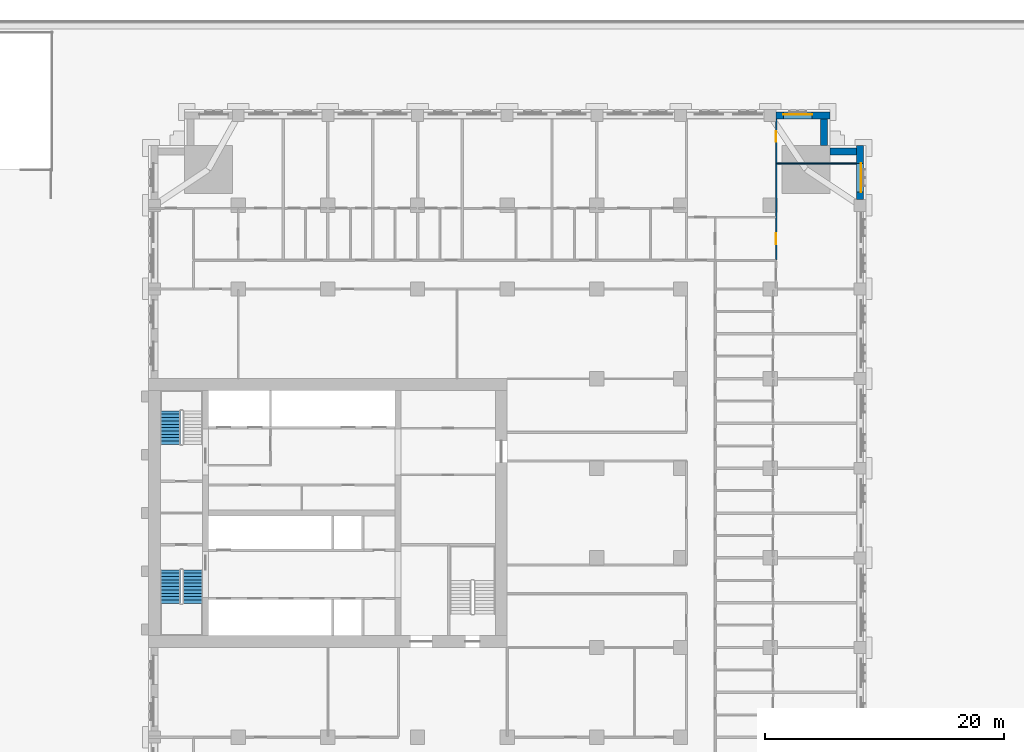
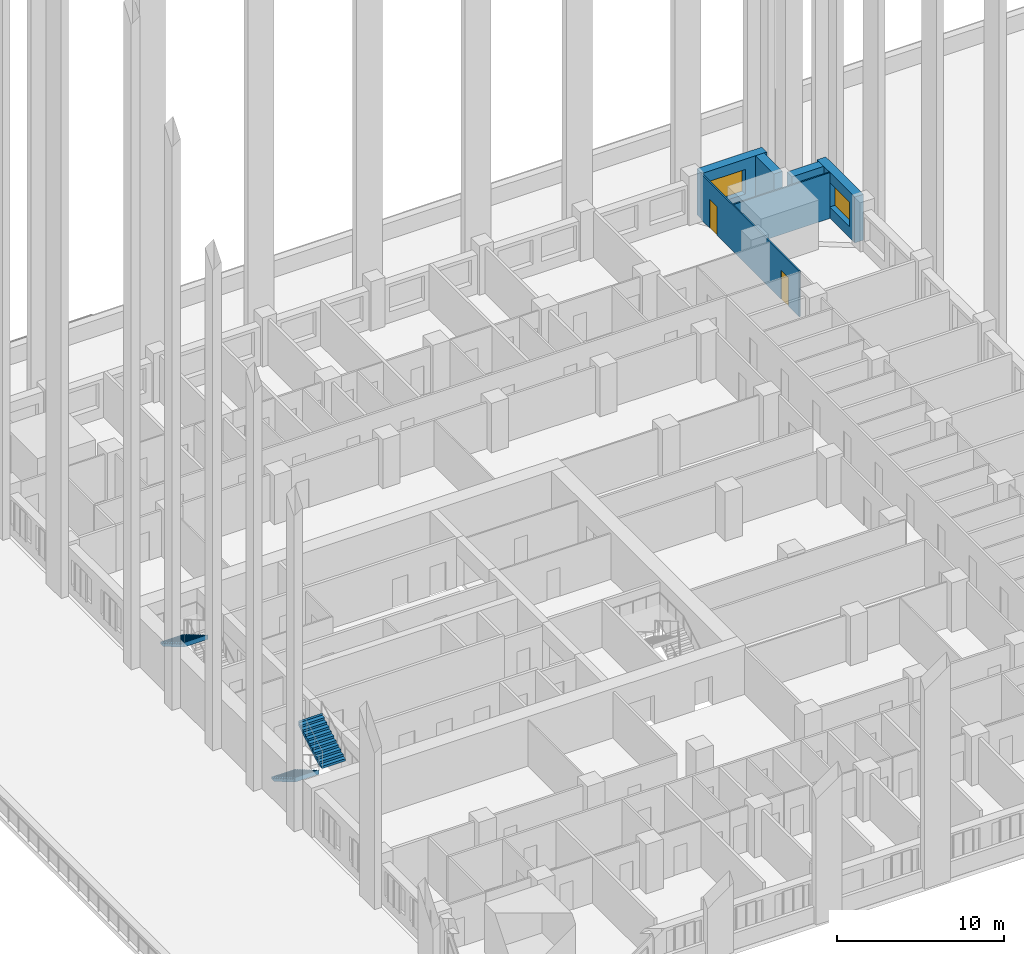
# One storey, part 22 of 27: 6 walls, 3 stair flights, 2 doors, 2 windows, 4 openings, 2 elements without a shape of their own.
"""IFC4 building model written with IfcOpenShell, lengths in metres."""

from ifc_helpers import new_model, si_unit, direction, frame, frame_2d, origin, place, context, subcontext, project, spatial, polyline, rectangle, outline, extrude, material, layer, layer_set, type_object, element, fill, aggregate, save


model = new_model("IFC4")

# Units and contexts
model_context = context("Model", 3, precision=1e-05, world=origin(), true_north=direction((0.0, 1.0)))
body_context = subcontext(model_context, "Body", "Model", "MODEL_VIEW")
ifc_project = project(units=[si_unit("LENGTHUNIT", "METRE"), si_unit("AREAUNIT", "SQUARE_METRE"), si_unit("VOLUMEUNIT", "CUBIC_METRE"), si_unit("PLANEANGLEUNIT", "RADIAN"), si_unit("MASSUNIT", "GRAM", prefix="KILO")], contexts=[model_context])

# Site, building, storey
site_placement = place(None, origin())
site = spatial("IfcSite", under=ifc_project, at=site_placement, CompositionType="ELEMENT")
building_placement = place(site_placement, origin())
building = spatial("IfcBuilding", under=site, at=building_placement, Name="Tamorin Gate", CompositionType="ELEMENT")
storey_placement = place(building_placement, frame((0.0, 0.0, 34.0)))
storey = spatial("IfcBuildingStorey", under=building, at=storey_placement, Name="L06", CompositionType="ELEMENT", Elevation=34.0)

# Wall, opening, window
ifc_material_1 = material(Name="Precast concrete C40/50", Category="concrete")
ifc_layer_1 = layer(ifc_material_1, 0.60009765625)
ifc_layer_set_1 = layer_set([ifc_layer_1], Name="Precast concrete C40/50")
wall_type_1 = type_object("IfcWallType", Name="Board-marked concrete facade panel 600", PredefinedType="SOLIDWALL", material=ifc_layer_set_1)
wall_1_placement = place(storey_placement, frame((89.5, 97.5, 0.0), z_axis=(0.0, 0.0, 1.0), x_axis=(0.0, 1.0, 0.0)))
wall_1 = element("IfcWall", 1, at=wall_1_placement, inside=storey, type_object=wall_type_1, Name="Facade panel", PredefinedType="SOLIDWALL", context=body_context, shape_type="SweptSolid", body=[
    extrude(rectangle(XDim=4.5, YDim=0.60009765625, at=frame_2d((2.25, 0.0))), origin(), (0.0, 0.0, 1.0), 3.35009765625),
])
opening_1_placement = place(wall_1_placement, frame((0.60009765625, 0.0, 0.800048828125)))
opening_1 = element("IfcOpeningElement", 2, at=opening_1_placement, cuts=wall_1, Name="Opening WN1", PredefinedType="OPENING", context=body_context, shape_type="SweptSolid", body=[
    extrude(rectangle(XDim=2.39990234375, YDim=1.800048828125, at=frame_2d((1.199951171875, 0.89990234375))), frame((0.0, 0.31005859375, 0.0), z_axis=(0.0, -1.0, 0.0), x_axis=(1.0, 0.0, 0.0)), (0.0, 0.0, 1.0), 0.6201171875),
])
ifc_material_2 = material(Name="Clear glass in aluminium frame", Category="aluminium")
window_type = type_object("IfcWindowType", Name="Deep-set window 2400x1800", PartitioningType="SINGLE_PANEL", PredefinedType="WINDOW", material=ifc_material_2)
window_1_placement = place(opening_1_placement, origin())
window_1 = element("IfcWindow", 3, at=window_1_placement, inside=storey, type_object=window_type, Name="Deep-set window", OverallHeight=1.800048828125, OverallWidth=2.39990234375, PartitioningType="SINGLE_PANEL", PredefinedType="WINDOW", context=body_context, shape_type="SweptSolid", body=[
    extrude(rectangle(XDim=2.39990234375, YDim=1.800048828125, at=frame_2d((1.199951171875, 0.89990234375))), frame((0.0, -0.070068359375, 0.0), z_axis=(0.0, -1.0, 0.0), x_axis=(1.0, 0.0, 0.0)), (0.0, 0.0, 1.0), 0.06005859375),
])
fill(opening_1, window_1)

# Walls
for number, where, z_axis, x_axis, name in (
    (4, (89.199951171875, 101.5, 0.0), (0.0, 0.0, 1.0), (-1.0, 0.0, 0.0), "Facade panel"),
    (5, (86.5, 102.0, 0.0), (0.0, 0.0, 1.0), (0.0, 1.0, 0.0), "Facade panel"),
):
    element("IfcWall", number, at=place(storey_placement, frame(where, z_axis=z_axis, x_axis=x_axis)), inside=storey, type_object=wall_type_1, Name=name, PredefinedType="SOLIDWALL", context=body_context, shape_type="SweptSolid", body=[
        extrude(rectangle(XDim=2.199951171875, YDim=0.60009765625, at=frame_2d((1.10009765625, 0.0))), origin(), (0.0, 0.0, 1.0), 3.35009765625),
    ])

# Wall, opening, window
wall_2_placement = place(storey_placement, frame((87.0, 104.5, 0.0), z_axis=(0.0, 0.0, 1.0), x_axis=(-1.0, 0.0, 0.0)))
wall_2 = element("IfcWall", 6, at=wall_2_placement, inside=storey, type_object=wall_type_1, Name="Facade panel", PredefinedType="SOLIDWALL", context=body_context, shape_type="SweptSolid", body=[
    extrude(rectangle(XDim=4.5, YDim=0.60009765625, at=frame_2d((2.25, 0.0))), origin(), (0.0, 0.0, 1.0), 3.35009765625),
])
opening_2_placement = place(wall_2_placement, frame((1.5, 0.0, 0.800048828125)))
opening_2 = element("IfcOpeningElement", 7, at=opening_2_placement, cuts=wall_2, Name="Opening WN1", PredefinedType="OPENING", context=body_context, shape_type="SweptSolid", body=[
    extrude(rectangle(XDim=2.39990234375, YDim=1.800048828125, at=frame_2d((1.199951171875, 0.89990234375))), frame((0.0, 0.31005859375, 0.0), z_axis=(0.0, -1.0, 0.0), x_axis=(1.0, 0.0, 0.0)), (0.0, 0.0, 1.0), 0.6201171875),
])
window_2_placement = place(opening_2_placement, origin())
window_2 = element("IfcWindow", 8, at=window_2_placement, inside=storey, type_object=window_type, Name="Deep-set window", OverallHeight=1.800048828125, OverallWidth=2.39990234375, PartitioningType="SINGLE_PANEL", PredefinedType="WINDOW", context=body_context, shape_type="SweptSolid", body=[
    extrude(rectangle(XDim=2.39990234375, YDim=1.800048828125, at=frame_2d((1.199951171875, 0.89990234375))), frame((0.0, -0.070068359375, 0.0), z_axis=(0.0, -1.0, 0.0), x_axis=(1.0, 0.0, 0.0)), (0.0, 0.0, 1.0), 0.06005859375),
])
fill(opening_2, window_2)

# Wall
ifc_material_3 = material(Name="Gypsum board partition")
ifc_layer_2 = layer(ifc_material_3, 0.10009765625)
ifc_layer_set_2 = layer_set([ifc_layer_2], Name="Room partition 100")
wall_type_2 = type_object("IfcWallType", Name="Room partition 100", PredefinedType="PARTITIONING", material=ifc_layer_set_2)
wall_3_placement = place(storey_placement, frame((82.550048828125, 100.5, 0.0), z_axis=(0.0, 0.0, 1.0), x_axis=(1.0, 0.0, 0.0)))
element("IfcWall", 9, at=wall_3_placement, inside=storey, type_object=wall_type_2, Name="Room partition 100", PredefinedType="PARTITIONING", context=body_context, shape_type="SweptSolid", body=[
    extrude(rectangle(XDim=6.639892578125, YDim=0.10009765625, at=frame_2d((3.31982421875, 0.0))), origin(), (0.0, 0.0, 1.0), 3.35009765625),
])

# Wall, openings, doors
wall_4_placement = place(storey_placement, frame((82.5, 92.46240234375, 0.0), z_axis=(0.0, 0.0, 1.0), x_axis=(0.0, 1.0, 0.0)))
wall_4 = element("IfcWall", 10, at=wall_4_placement, inside=storey, type_object=wall_type_2, Name="Room partition 100", PredefinedType="PARTITIONING", context=body_context, shape_type="SweptSolid", body=[
    extrude(rectangle(XDim=11.7275390625, YDim=0.10009765625, at=frame_2d((5.86376953125, 0.0))), origin(), (0.0, 0.0, 1.0), 3.35009765625),
])
opening_3_placement = place(wall_4_placement, frame((9.83740234375, 0.0, 0.0)))
opening_3 = element("IfcOpeningElement", 11, at=opening_3_placement, cuts=wall_4, Name="Opening DH1090", PredefinedType="OPENING", context=body_context, shape_type="SweptSolid", body=[
    extrude(rectangle(XDim=0.89990234375, YDim=2.10009765625, at=frame_2d((0.449951171875, 1.050048828125))), frame((0.0, 0.06005859375, 0.0), z_axis=(0.0, -1.0, 0.0), x_axis=(1.0, 0.0, 0.0)), (0.0, 0.0, 1.0), 0.1201171875),
])
opening_4_placement = place(wall_4_placement, frame((1.28759765625, 0.0, 0.0)))
opening_4 = element("IfcOpeningElement", 12, at=opening_4_placement, cuts=wall_4, Name="Opening DH1091", PredefinedType="OPENING", context=body_context, shape_type="SweptSolid", body=[
    extrude(rectangle(XDim=0.89990234375, YDim=2.10009765625, at=frame_2d((0.449951171875, 1.050048828125))), frame((0.0, 0.06005859375, 0.0), z_axis=(0.0, -1.0, 0.0), x_axis=(1.0, 0.0, 0.0)), (0.0, 0.0, 1.0), 0.1201171875),
])
ifc_material_4 = material(Name="Timber door leaf", Category="wood")
door_type = type_object("IfcDoorType", Name="Door 900 x 2100", OperationType="NOTDEFINED", PredefinedType="DOOR", material=ifc_material_4)
door_1_placement = place(opening_3_placement, origin())
door_1 = element("IfcDoor", 13, at=door_1_placement, inside=storey, type_object=door_type, Name="Door DH1090", OperationType="SINGLE_SWING_LEFT", OverallHeight=2.10009765625, OverallWidth=0.89990234375, PredefinedType="DOOR", context=body_context, shape_type="SweptSolid", body=[
    extrude(rectangle(XDim=0.89990234375, YDim=2.10009765625, at=frame_2d((0.449951171875, 1.050048828125))), frame((0.0, 0.02490234375, 0.0), z_axis=(0.0, -1.0, 0.0), x_axis=(1.0, 0.0, 0.0)), (0.0, 0.0, 1.0), 0.050048828125),
])
fill(opening_3, door_1)
door_2_placement = place(opening_4_placement, origin())
door_2 = element("IfcDoor", 14, at=door_2_placement, inside=storey, type_object=door_type, Name="Door DH1091", OperationType="SINGLE_SWING_RIGHT", OverallHeight=2.10009765625, OverallWidth=0.89990234375, PredefinedType="DOOR", context=body_context, shape_type="SweptSolid", body=[
    extrude(rectangle(XDim=0.89990234375, YDim=2.10009765625, at=frame_2d((0.449951171875, 1.050048828125))), frame((0.0, 0.02490234375, 0.0), z_axis=(0.0, -1.0, 0.0), x_axis=(1.0, 0.0, 0.0)), (0.0, 0.0, 1.0), 0.050048828125),
])
fill(opening_4, door_2)

# Stair, stair flights
ifc_material_5 = material(Name="Concrete C40/50", Category="concrete")
stair_type = type_object("IfcStairType", Name="Exit stair", PredefinedType="HALF_TURN_STAIR", material=ifc_material_5)
stair_1_placement = place(storey_placement, origin())
stair_1 = element("IfcStair", 15, at=stair_1_placement, inside=storey, type_object=stair_type, Name="L06 stair ST1", PredefinedType="HALF_TURN_STAIR")
stair_flight_type = type_object("IfcStairFlightType", Name="Exit stair flight", PredefinedType="STRAIGHT", material=ifc_material_5)
stair_flight_1_placement = place(storey_placement, frame((31.824951171875, 66.5, 0.0), z_axis=(0.0, 0.0, 1.0), x_axis=(0.0, -1.0, 0.0)))
stair_flight_1 = element("IfcStairFlight", 16, at=stair_flight_1_placement, type_object=stair_flight_type, Name="ST1 flight 1", NumberOfRisers=11, NumberOfTreads=10, PredefinedType="STRAIGHT", RiserHeight=0.163636364, TreadLength=0.28, context=body_context, shape_type="SweptSolid", body=[
    extrude(outline(polyline([(-0.00048828125, 0.0), (-0.00048828125, 0.001708984375), (-0.00048828125, 0.003173828125), (-0.00048828125, 0.0048828125), (-0.00048828125, 0.006591796875), (-0.00048828125, 0.008056640625), (-0.00048828125, 0.009765625), (-0.00048828125, 0.01123046875), (-0.00048828125, 0.012939453125), (-0.00048828125, 0.0146484375), (-0.00048828125, 0.01611328125), (-0.00048828125, 0.017822265625), (-0.00048828125, 0.01953125), (-0.00048828125, 0.02099609375), (-0.00048828125, 0.022705078125), (-0.00048828125, 0.0244140625), (-0.00048828125, 0.02587890625), (-0.00048828125, 0.027587890625), (-0.00048828125, 0.029052734375), (-0.00048828125, 0.03076171875), (-0.00048828125, 0.032470703125), (-0.00048828125, 0.033935546875), (-0.00048828125, 0.03564453125), (-0.00048828125, 0.037353515625), (-0.00048828125, 0.038818359375), (-0.00048828125, 0.04052734375), (-0.00048828125, 0.042236328125), (-0.00048828125, 0.043701171875), (-0.00048828125, 0.04541015625), (-0.00048828125, 0.046875), (-0.00048828125, 0.048583984375), (-0.00048828125, 0.05029296875), (-0.00048828125, 0.0517578125), (-0.00048828125, 0.053466796875), (-0.00048828125, 0.05517578125), (-0.00048828125, 0.056640625), (-0.00048828125, 0.058349609375), (-0.00048828125, 0.06005859375), (-0.00048828125, 0.0615234375), (-0.00048828125, 0.063232421875), (-0.00048828125, 0.064697265625), (-0.00048828125, 0.06640625), (-0.00048828125, 0.068115234375), (-0.00048828125, 0.069580078125), (-0.00048828125, 0.0712890625), (-0.00048828125, 0.072998046875), (-0.00048828125, 0.074462890625), (-0.00048828125, 0.076171875), (-0.00048828125, 0.077880859375), (-0.00048828125, 0.079345703125), (-0.00048828125, 0.0810546875), (-0.00048828125, 0.08251953125), (-0.00048828125, 0.084228515625), (-0.00048828125, 0.0859375), (-0.00048828125, 0.08740234375), (-0.00048828125, 0.089111328125), (-0.00048828125, 0.0908203125), (-0.00048828125, 0.09228515625), (-0.00048828125, 0.093994140625), (-0.00048828125, 0.095703125), (-0.00048828125, 0.09716796875), (-0.00048828125, 0.098876953125), (-0.00048828125, 0.100341796875), (-0.00048828125, 0.10205078125), (-0.00048828125, 0.103759765625), (-0.00048828125, 0.105224609375), (-0.00048828125, 0.10693359375), (-0.00048828125, 0.108642578125), (-0.00048828125, 0.110107421875), (-0.00048828125, 0.11181640625), (-0.00048828125, 0.113525390625), (-0.00048828125, 0.114990234375), (-0.00048828125, 0.11669921875), (-0.00048828125, 0.1181640625), (-0.00048828125, 0.119873046875), (-0.00048828125, 0.12158203125), (-0.00048828125, 0.123046875), (-0.00048828125, 0.124755859375), (-0.00048828125, 0.12646484375), (-0.00048828125, 0.1279296875), (-0.00048828125, 0.129638671875), (-0.00048828125, 0.13134765625), (-0.00048828125, 0.1328125), (-0.00048828125, 0.134521484375), (-0.00048828125, 0.135986328125), (-0.00048828125, 0.1376953125), (-0.00048828125, 0.139404296875), (-0.00048828125, 0.140869140625), (-0.00048828125, 0.142578125), (-0.00048828125, 0.144287109375), (-0.00048828125, 0.145751953125), (-0.00048828125, 0.1474609375), (-0.00048828125, 0.149169921875), (-0.00048828125, 0.150634765625), (-0.00048828125, 0.15234375), (-0.00048828125, 0.15380859375), (-0.00048828125, 0.155517578125), (-0.00048828125, 0.1572265625), (-0.00048828125, 0.15869140625), (-0.00048828125, 0.160400390625), (-0.00048828125, 0.162109375), (-0.00048828125, 0.16357421875), (0.280029296875, 0.16357421875), (0.280029296875, 0.327392578125), (0.56005859375, 0.327392578125), (0.56005859375, 0.490966796875), (0.840087890625, 0.490966796875), (0.840087890625, 0.654541015625), (1.1201171875, 0.654541015625), (1.1201171875, 0.818115234375), (1.39990234375, 0.818115234375), (1.39990234375, 0.98193359375), (1.679931640625, 0.98193359375), (1.679931640625, 1.1455078125), (1.9599609375, 1.1455078125), (1.9599609375, 1.30908203125), (2.239990234375, 1.30908203125), (2.239990234375, 1.47265625), (2.52001953125, 1.47265625), (2.52001953125, 1.636474609375), (2.800048828125, 1.636474609375), (2.800048828125, 1.800048828125), (2.800537109375, 1.800048828125), (2.800537109375, 1.796630859375), (2.800537109375, 1.793212890625), (2.800537109375, 1.7900390625), (2.800537109375, 1.78662109375), (2.800537109375, 1.783203125), (2.800537109375, 1.780029296875), (2.800537109375, 1.776611328125), (2.800537109375, 1.773193359375), (2.800537109375, 1.77001953125), (2.800537109375, 1.7666015625), (2.800537109375, 1.76318359375), (2.800537109375, 1.760009765625), (2.800537109375, 1.756591796875), (2.800537109375, 1.753173828125), (2.800537109375, 1.75), (2.800537109375, 1.74658203125), (2.800537109375, 1.7431640625), (2.800537109375, 1.739990234375), (2.800537109375, 1.736572265625), (2.800537109375, 1.733154296875), (2.800537109375, 1.72998046875), (2.800537109375, 1.7265625), (2.800537109375, 1.72314453125), (2.800537109375, 1.719970703125), (2.800537109375, 1.716552734375), (2.800537109375, 1.713134765625), (2.800537109375, 1.7099609375), (2.800537109375, 1.70654296875), (2.800537109375, 1.703125), (2.800537109375, 1.69970703125), (2.800537109375, 1.696533203125), (2.800537109375, 1.693115234375), (2.800537109375, 1.689697265625), (2.800537109375, 1.6865234375), (2.800537109375, 1.68310546875), (2.800537109375, 1.6796875), (2.800537109375, 1.676513671875), (2.800537109375, 1.673095703125), (2.800537109375, 1.669677734375), (2.800537109375, 1.66650390625), (2.800537109375, 1.6630859375), (2.800537109375, 1.65966796875), (2.800537109375, 1.656494140625), (2.800537109375, 1.653076171875), (2.800537109375, 1.649658203125), (2.800537109375, 1.646484375), (2.800537109375, 1.64306640625), (2.800537109375, 1.6396484375), (2.800537109375, 1.636474609375), (2.800537109375, 1.633056640625), (2.800537109375, 1.629638671875), (2.800537109375, 1.62646484375), (2.800537109375, 1.623046875), (2.800537109375, 1.61962890625), (2.800537109375, 1.616455078125), (2.800537109375, 1.613037109375), (2.800537109375, 1.609619140625), (2.800537109375, 1.6064453125), (2.800537109375, 1.60302734375), (2.800537109375, 1.599609375), (2.800537109375, 1.59619140625), (2.800537109375, 1.593017578125), (2.800537109375, 1.589599609375), (2.800537109375, 1.586181640625), (2.800537109375, 1.5830078125), (2.800537109375, 1.57958984375), (2.800537109375, 1.576171875), (2.800537109375, 1.572998046875), (2.800537109375, 1.569580078125), (2.800537109375, 1.566162109375), (2.800537109375, 1.56298828125), (2.800537109375, 1.5595703125), (2.800537109375, 1.55615234375), (2.800537109375, 1.552978515625), (2.800537109375, 1.549560546875), (2.800537109375, 1.546142578125), (2.800537109375, 1.54296875), (2.800537109375, 1.53955078125), (2.800537109375, 1.5361328125), (2.800537109375, 1.532958984375), (2.800537109375, 1.529541015625), (2.800537109375, 1.526123046875), (2.800537109375, 1.52294921875), (2.800537109375, 1.51953125), (2.800537109375, 1.51611328125), (2.800537109375, 1.512939453125), (2.800537109375, 1.509521484375), (2.800537109375, 1.506103515625), (2.800537109375, 1.5029296875), (2.800537109375, 1.49951171875), (2.800537109375, 1.49609375), (2.800537109375, 1.49267578125), (2.800537109375, 1.489501953125), (2.800537109375, 1.486083984375), (2.800537109375, 1.482666015625), (2.800537109375, 1.4794921875), (2.800537109375, 1.47607421875), (2.800537109375, 1.47265625), (2.800537109375, 1.469482421875), (2.800537109375, 1.466064453125), (2.800537109375, 1.462646484375), (2.800048828125, 1.462646484375), (0.297119140625, 0.0), (-0.00048828125, 0.0)])), frame((0.0, 0.824951171875, 0.0), z_axis=(0.0, -1.0, 0.0), x_axis=(1.0, 0.0, 0.0)), (0.0, 0.0, 1.0), 1.64990234375),
])
stair_flight_2_placement = place(storey_placement, frame((33.675048828125, 63.699951171875, 1.800048828125), z_axis=(0.0, 0.0, 1.0), x_axis=(0.0, 1.0, 0.0)))
stair_flight_2 = element("IfcStairFlight", 17, at=stair_flight_2_placement, type_object=stair_flight_type, Name="ST1 flight 2", NumberOfRisers=11, NumberOfTreads=10, PredefinedType="STRAIGHT", RiserHeight=0.163636364, TreadLength=0.28, context=body_context, shape_type="SweptSolid", body=[
    extrude(outline(polyline([(-0.00048828125, 0.0), (-0.00048828125, 0.001708984375), (-0.00048828125, 0.003173828125), (-0.00048828125, 0.0048828125), (-0.00048828125, 0.006591796875), (-0.00048828125, 0.008056640625), (-0.00048828125, 0.009765625), (-0.00048828125, 0.01123046875), (-0.00048828125, 0.012939453125), (-0.00048828125, 0.0146484375), (-0.00048828125, 0.01611328125), (-0.00048828125, 0.017822265625), (-0.00048828125, 0.01953125), (-0.00048828125, 0.02099609375), (-0.00048828125, 0.022705078125), (-0.00048828125, 0.0244140625), (-0.00048828125, 0.02587890625), (-0.00048828125, 0.027587890625), (-0.00048828125, 0.029052734375), (-0.00048828125, 0.03076171875), (-0.00048828125, 0.032470703125), (-0.00048828125, 0.033935546875), (-0.00048828125, 0.03564453125), (-0.00048828125, 0.037353515625), (-0.00048828125, 0.038818359375), (-0.00048828125, 0.04052734375), (-0.00048828125, 0.042236328125), (-0.00048828125, 0.043701171875), (-0.00048828125, 0.04541015625), (-0.00048828125, 0.046875), (-0.00048828125, 0.048583984375), (-0.00048828125, 0.05029296875), (-0.00048828125, 0.0517578125), (-0.00048828125, 0.053466796875), (-0.00048828125, 0.05517578125), (-0.00048828125, 0.056640625), (-0.00048828125, 0.058349609375), (-0.00048828125, 0.06005859375), (-0.00048828125, 0.0615234375), (-0.00048828125, 0.063232421875), (-0.00048828125, 0.064697265625), (-0.00048828125, 0.06640625), (-0.00048828125, 0.068115234375), (-0.00048828125, 0.069580078125), (-0.00048828125, 0.0712890625), (-0.00048828125, 0.072998046875), (-0.00048828125, 0.074462890625), (-0.00048828125, 0.076171875), (-0.00048828125, 0.077880859375), (-0.00048828125, 0.079345703125), (-0.00048828125, 0.0810546875), (-0.00048828125, 0.08251953125), (-0.00048828125, 0.084228515625), (-0.00048828125, 0.0859375), (-0.00048828125, 0.08740234375), (-0.00048828125, 0.089111328125), (-0.00048828125, 0.0908203125), (-0.00048828125, 0.09228515625), (-0.00048828125, 0.093994140625), (-0.00048828125, 0.095703125), (-0.00048828125, 0.09716796875), (-0.00048828125, 0.098876953125), (-0.00048828125, 0.100341796875), (-0.00048828125, 0.10205078125), (-0.00048828125, 0.103759765625), (-0.00048828125, 0.105224609375), (-0.00048828125, 0.10693359375), (-0.00048828125, 0.108642578125), (-0.00048828125, 0.110107421875), (-0.00048828125, 0.11181640625), (-0.00048828125, 0.113525390625), (-0.00048828125, 0.114990234375), (-0.00048828125, 0.11669921875), (-0.00048828125, 0.1181640625), (-0.00048828125, 0.119873046875), (-0.00048828125, 0.12158203125), (-0.00048828125, 0.123046875), (-0.00048828125, 0.124755859375), (-0.00048828125, 0.12646484375), (-0.00048828125, 0.1279296875), (-0.00048828125, 0.129638671875), (-0.00048828125, 0.13134765625), (-0.00048828125, 0.1328125), (-0.00048828125, 0.134521484375), (-0.00048828125, 0.135986328125), (-0.00048828125, 0.1376953125), (-0.00048828125, 0.139404296875), (-0.00048828125, 0.140869140625), (-0.00048828125, 0.142578125), (-0.00048828125, 0.144287109375), (-0.00048828125, 0.145751953125), (-0.00048828125, 0.1474609375), (-0.00048828125, 0.149169921875), (-0.00048828125, 0.150634765625), (-0.00048828125, 0.15234375), (-0.00048828125, 0.15380859375), (-0.00048828125, 0.155517578125), (-0.00048828125, 0.1572265625), (-0.00048828125, 0.15869140625), (-0.00048828125, 0.160400390625), (-0.00048828125, 0.162109375), (-0.00048828125, 0.16357421875), (0.280029296875, 0.16357421875), (0.280029296875, 0.327392578125), (0.56005859375, 0.327392578125), (0.56005859375, 0.490966796875), (0.840087890625, 0.490966796875), (0.840087890625, 0.654541015625), (1.1201171875, 0.654541015625), (1.1201171875, 0.818115234375), (1.39990234375, 0.818115234375), (1.39990234375, 0.98193359375), (1.679931640625, 0.98193359375), (1.679931640625, 1.1455078125), (1.9599609375, 1.1455078125), (1.9599609375, 1.30908203125), (2.239990234375, 1.30908203125), (2.239990234375, 1.47265625), (2.52001953125, 1.47265625), (2.52001953125, 1.636474609375), (2.800048828125, 1.636474609375), (2.800048828125, 1.800048828125), (2.800537109375, 1.800048828125), (2.800537109375, 1.796630859375), (2.800537109375, 1.793212890625), (2.800537109375, 1.7900390625), (2.800537109375, 1.78662109375), (2.800537109375, 1.783203125), (2.800537109375, 1.780029296875), (2.800537109375, 1.776611328125), (2.800537109375, 1.773193359375), (2.800537109375, 1.77001953125), (2.800537109375, 1.7666015625), (2.800537109375, 1.76318359375), (2.800537109375, 1.760009765625), (2.800537109375, 1.756591796875), (2.800537109375, 1.753173828125), (2.800537109375, 1.75), (2.800537109375, 1.74658203125), (2.800537109375, 1.7431640625), (2.800537109375, 1.739990234375), (2.800537109375, 1.736572265625), (2.800537109375, 1.733154296875), (2.800537109375, 1.72998046875), (2.800537109375, 1.7265625), (2.800537109375, 1.72314453125), (2.800537109375, 1.719970703125), (2.800537109375, 1.716552734375), (2.800537109375, 1.713134765625), (2.800537109375, 1.7099609375), (2.800537109375, 1.70654296875), (2.800537109375, 1.703125), (2.800537109375, 1.69970703125), (2.800537109375, 1.696533203125), (2.800537109375, 1.693115234375), (2.800537109375, 1.689697265625), (2.800537109375, 1.6865234375), (2.800537109375, 1.68310546875), (2.800537109375, 1.6796875), (2.800537109375, 1.676513671875), (2.800537109375, 1.673095703125), (2.800537109375, 1.669677734375), (2.800537109375, 1.66650390625), (2.800537109375, 1.6630859375), (2.800537109375, 1.65966796875), (2.800537109375, 1.656494140625), (2.800537109375, 1.653076171875), (2.800537109375, 1.649658203125), (2.800537109375, 1.646484375), (2.800537109375, 1.64306640625), (2.800537109375, 1.6396484375), (2.800537109375, 1.636474609375), (2.800537109375, 1.633056640625), (2.800537109375, 1.629638671875), (2.800537109375, 1.62646484375), (2.800537109375, 1.623046875), (2.800537109375, 1.61962890625), (2.800537109375, 1.616455078125), (2.800537109375, 1.613037109375), (2.800537109375, 1.609619140625), (2.800537109375, 1.6064453125), (2.800537109375, 1.60302734375), (2.800537109375, 1.599609375), (2.800537109375, 1.59619140625), (2.800537109375, 1.593017578125), (2.800537109375, 1.589599609375), (2.800537109375, 1.586181640625), (2.800537109375, 1.5830078125), (2.800537109375, 1.57958984375), (2.800537109375, 1.576171875), (2.800537109375, 1.572998046875), (2.800537109375, 1.569580078125), (2.800537109375, 1.566162109375), (2.800537109375, 1.56298828125), (2.800537109375, 1.5595703125), (2.800537109375, 1.55615234375), (2.800537109375, 1.552978515625), (2.800537109375, 1.549560546875), (2.800537109375, 1.546142578125), (2.800537109375, 1.54296875), (2.800537109375, 1.53955078125), (2.800537109375, 1.5361328125), (2.800537109375, 1.532958984375), (2.800537109375, 1.529541015625), (2.800537109375, 1.526123046875), (2.800537109375, 1.52294921875), (2.800537109375, 1.51953125), (2.800537109375, 1.51611328125), (2.800537109375, 1.512939453125), (2.800537109375, 1.509521484375), (2.800537109375, 1.506103515625), (2.800537109375, 1.5029296875), (2.800537109375, 1.49951171875), (2.800537109375, 1.49609375), (2.800537109375, 1.49267578125), (2.800537109375, 1.489501953125), (2.800537109375, 1.486083984375), (2.800537109375, 1.482666015625), (2.800537109375, 1.4794921875), (2.800537109375, 1.47607421875), (2.800537109375, 1.47265625), (2.800537109375, 1.469482421875), (2.800537109375, 1.466064453125), (2.800537109375, 1.462646484375), (2.800048828125, 1.462646484375), (0.297119140625, 0.0), (-0.00048828125, 0.0)])), frame((0.0, 0.824951171875, 0.0), z_axis=(0.0, -1.0, 0.0), x_axis=(1.0, 0.0, 0.0)), (0.0, 0.0, 1.0), 1.64990234375),
])
aggregate(stair_1, [stair_flight_1, stair_flight_2])

# Stair, stair flight
stair_2_placement = place(storey_placement, origin())
stair_2 = element("IfcStair", 18, at=stair_2_placement, inside=storey, type_object=stair_type, Name="L06 stair ST2", PredefinedType="HALF_TURN_STAIR")
stair_flight_3_placement = place(storey_placement, frame((31.824951171875, 79.800048828125, 1.800048828125), z_axis=(0.0, 0.0, 1.0), x_axis=(0.0, -1.0, 0.0)))
stair_flight_3 = element("IfcStairFlight", 19, at=stair_flight_3_placement, type_object=stair_flight_type, Name="ST2 flight 2", NumberOfRisers=11, NumberOfTreads=10, PredefinedType="STRAIGHT", RiserHeight=0.163636364, TreadLength=0.28, context=body_context, shape_type="SweptSolid", body=[
    extrude(outline(polyline([(-0.00048828125, 0.0), (-0.00048828125, 0.001708984375), (-0.00048828125, 0.003173828125), (-0.00048828125, 0.0048828125), (-0.00048828125, 0.006591796875), (-0.00048828125, 0.008056640625), (-0.00048828125, 0.009765625), (-0.00048828125, 0.01123046875), (-0.00048828125, 0.012939453125), (-0.00048828125, 0.0146484375), (-0.00048828125, 0.01611328125), (-0.00048828125, 0.017822265625), (-0.00048828125, 0.01953125), (-0.00048828125, 0.02099609375), (-0.00048828125, 0.022705078125), (-0.00048828125, 0.0244140625), (-0.00048828125, 0.02587890625), (-0.00048828125, 0.027587890625), (-0.00048828125, 0.029052734375), (-0.00048828125, 0.03076171875), (-0.00048828125, 0.032470703125), (-0.00048828125, 0.033935546875), (-0.00048828125, 0.03564453125), (-0.00048828125, 0.037353515625), (-0.00048828125, 0.038818359375), (-0.00048828125, 0.04052734375), (-0.00048828125, 0.042236328125), (-0.00048828125, 0.043701171875), (-0.00048828125, 0.04541015625), (-0.00048828125, 0.046875), (-0.00048828125, 0.048583984375), (-0.00048828125, 0.05029296875), (-0.00048828125, 0.0517578125), (-0.00048828125, 0.053466796875), (-0.00048828125, 0.05517578125), (-0.00048828125, 0.056640625), (-0.00048828125, 0.058349609375), (-0.00048828125, 0.06005859375), (-0.00048828125, 0.0615234375), (-0.00048828125, 0.063232421875), (-0.00048828125, 0.064697265625), (-0.00048828125, 0.06640625), (-0.00048828125, 0.068115234375), (-0.00048828125, 0.069580078125), (-0.00048828125, 0.0712890625), (-0.00048828125, 0.072998046875), (-0.00048828125, 0.074462890625), (-0.00048828125, 0.076171875), (-0.00048828125, 0.077880859375), (-0.00048828125, 0.079345703125), (-0.00048828125, 0.0810546875), (-0.00048828125, 0.08251953125), (-0.00048828125, 0.084228515625), (-0.00048828125, 0.0859375), (-0.00048828125, 0.08740234375), (-0.00048828125, 0.089111328125), (-0.00048828125, 0.0908203125), (-0.00048828125, 0.09228515625), (-0.00048828125, 0.093994140625), (-0.00048828125, 0.095703125), (-0.00048828125, 0.09716796875), (-0.00048828125, 0.098876953125), (-0.00048828125, 0.100341796875), (-0.00048828125, 0.10205078125), (-0.00048828125, 0.103759765625), (-0.00048828125, 0.105224609375), (-0.00048828125, 0.10693359375), (-0.00048828125, 0.108642578125), (-0.00048828125, 0.110107421875), (-0.00048828125, 0.11181640625), (-0.00048828125, 0.113525390625), (-0.00048828125, 0.114990234375), (-0.00048828125, 0.11669921875), (-0.00048828125, 0.1181640625), (-0.00048828125, 0.119873046875), (-0.00048828125, 0.12158203125), (-0.00048828125, 0.123046875), (-0.00048828125, 0.124755859375), (-0.00048828125, 0.12646484375), (-0.00048828125, 0.1279296875), (-0.00048828125, 0.129638671875), (-0.00048828125, 0.13134765625), (-0.00048828125, 0.1328125), (-0.00048828125, 0.134521484375), (-0.00048828125, 0.135986328125), (-0.00048828125, 0.1376953125), (-0.00048828125, 0.139404296875), (-0.00048828125, 0.140869140625), (-0.00048828125, 0.142578125), (-0.00048828125, 0.144287109375), (-0.00048828125, 0.145751953125), (-0.00048828125, 0.1474609375), (-0.00048828125, 0.149169921875), (-0.00048828125, 0.150634765625), (-0.00048828125, 0.15234375), (-0.00048828125, 0.15380859375), (-0.00048828125, 0.155517578125), (-0.00048828125, 0.1572265625), (-0.00048828125, 0.15869140625), (-0.00048828125, 0.160400390625), (-0.00048828125, 0.162109375), (-0.00048828125, 0.16357421875), (0.280029296875, 0.16357421875), (0.280029296875, 0.327392578125), (0.56005859375, 0.327392578125), (0.56005859375, 0.490966796875), (0.840087890625, 0.490966796875), (0.840087890625, 0.654541015625), (1.1201171875, 0.654541015625), (1.1201171875, 0.818115234375), (1.39990234375, 0.818115234375), (1.39990234375, 0.98193359375), (1.679931640625, 0.98193359375), (1.679931640625, 1.1455078125), (1.9599609375, 1.1455078125), (1.9599609375, 1.30908203125), (2.239990234375, 1.30908203125), (2.239990234375, 1.47265625), (2.52001953125, 1.47265625), (2.52001953125, 1.636474609375), (2.800048828125, 1.636474609375), (2.800048828125, 1.800048828125), (2.800537109375, 1.800048828125), (2.800537109375, 1.796630859375), (2.800537109375, 1.793212890625), (2.800537109375, 1.7900390625), (2.800537109375, 1.78662109375), (2.800537109375, 1.783203125), (2.800537109375, 1.780029296875), (2.800537109375, 1.776611328125), (2.800537109375, 1.773193359375), (2.800537109375, 1.77001953125), (2.800537109375, 1.7666015625), (2.800537109375, 1.76318359375), (2.800537109375, 1.760009765625), (2.800537109375, 1.756591796875), (2.800537109375, 1.753173828125), (2.800537109375, 1.75), (2.800537109375, 1.74658203125), (2.800537109375, 1.7431640625), (2.800537109375, 1.739990234375), (2.800537109375, 1.736572265625), (2.800537109375, 1.733154296875), (2.800537109375, 1.72998046875), (2.800537109375, 1.7265625), (2.800537109375, 1.72314453125), (2.800537109375, 1.719970703125), (2.800537109375, 1.716552734375), (2.800537109375, 1.713134765625), (2.800537109375, 1.7099609375), (2.800537109375, 1.70654296875), (2.800537109375, 1.703125), (2.800537109375, 1.69970703125), (2.800537109375, 1.696533203125), (2.800537109375, 1.693115234375), (2.800537109375, 1.689697265625), (2.800537109375, 1.6865234375), (2.800537109375, 1.68310546875), (2.800537109375, 1.6796875), (2.800537109375, 1.676513671875), (2.800537109375, 1.673095703125), (2.800537109375, 1.669677734375), (2.800537109375, 1.66650390625), (2.800537109375, 1.6630859375), (2.800537109375, 1.65966796875), (2.800537109375, 1.656494140625), (2.800537109375, 1.653076171875), (2.800537109375, 1.649658203125), (2.800537109375, 1.646484375), (2.800537109375, 1.64306640625), (2.800537109375, 1.6396484375), (2.800537109375, 1.636474609375), (2.800537109375, 1.633056640625), (2.800537109375, 1.629638671875), (2.800537109375, 1.62646484375), (2.800537109375, 1.623046875), (2.800537109375, 1.61962890625), (2.800537109375, 1.616455078125), (2.800537109375, 1.613037109375), (2.800537109375, 1.609619140625), (2.800537109375, 1.6064453125), (2.800537109375, 1.60302734375), (2.800537109375, 1.599609375), (2.800537109375, 1.59619140625), (2.800537109375, 1.593017578125), (2.800537109375, 1.589599609375), (2.800537109375, 1.586181640625), (2.800537109375, 1.5830078125), (2.800537109375, 1.57958984375), (2.800537109375, 1.576171875), (2.800537109375, 1.572998046875), (2.800537109375, 1.569580078125), (2.800537109375, 1.566162109375), (2.800537109375, 1.56298828125), (2.800537109375, 1.5595703125), (2.800537109375, 1.55615234375), (2.800537109375, 1.552978515625), (2.800537109375, 1.549560546875), (2.800537109375, 1.546142578125), (2.800537109375, 1.54296875), (2.800537109375, 1.53955078125), (2.800537109375, 1.5361328125), (2.800537109375, 1.532958984375), (2.800537109375, 1.529541015625), (2.800537109375, 1.526123046875), (2.800537109375, 1.52294921875), (2.800537109375, 1.51953125), (2.800537109375, 1.51611328125), (2.800537109375, 1.512939453125), (2.800537109375, 1.509521484375), (2.800537109375, 1.506103515625), (2.800537109375, 1.5029296875), (2.800537109375, 1.49951171875), (2.800537109375, 1.49609375), (2.800537109375, 1.49267578125), (2.800537109375, 1.489501953125), (2.800537109375, 1.486083984375), (2.800537109375, 1.482666015625), (2.800537109375, 1.4794921875), (2.800537109375, 1.47607421875), (2.800537109375, 1.47265625), (2.800537109375, 1.469482421875), (2.800537109375, 1.466064453125), (2.800537109375, 1.462646484375), (2.800048828125, 1.462646484375), (0.297119140625, 0.0), (-0.00048828125, 0.0)])), frame((0.0, 0.824951171875, 0.0), z_axis=(0.0, -1.0, 0.0), x_axis=(1.0, 0.0, 0.0)), (0.0, 0.0, 1.0), 1.64990234375),
])
aggregate(stair_2, [stair_flight_3])

save(model, "model.ifc")
